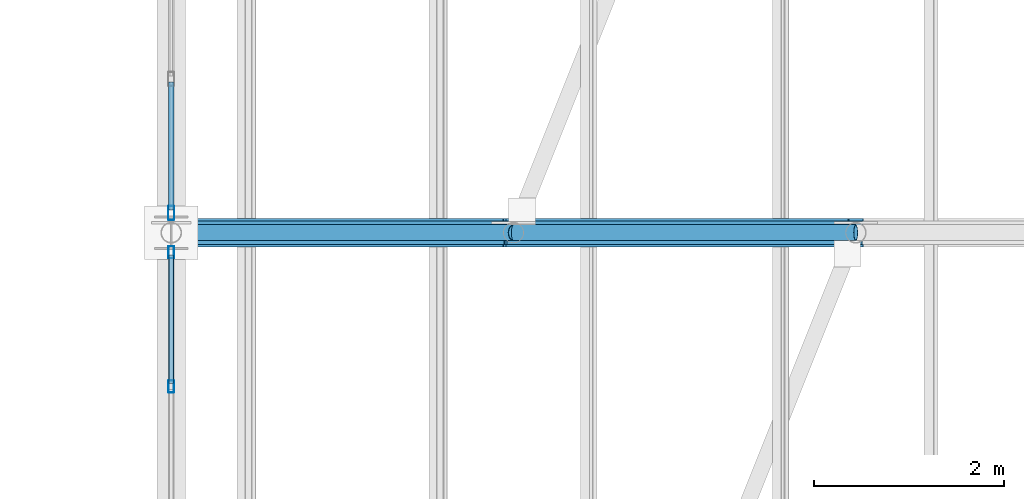
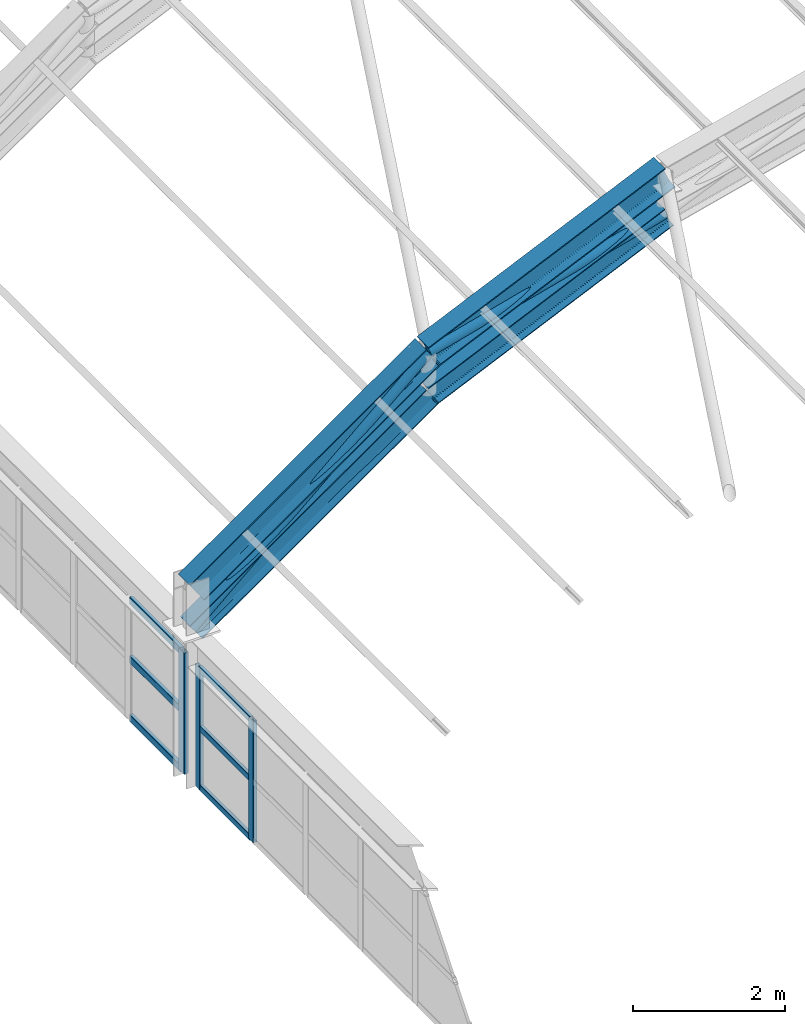
# One storey, part 34 of 121: 13 members, 2 beams, 2 elements without a shape of their own.
"""IFC4 building model written with IfcOpenShell, lengths in metres."""

from ifc_helpers import new_model, si_unit, direction, frame, origin, origin_2d, place, context, subcontext, project, spatial, hollow_rectangle, hollow_circle, i_section, extrude, material, material_profile, profile_set, type_object, element, aggregate, save


model = new_model("IFC4")

# Units and contexts
model_context = context("Model", 3, precision=1e-05, world=origin(), true_north=direction((0.0, 1.0)))
body_context = subcontext(model_context, "Body", "Model", "MODEL_VIEW")
ifc_project = project(units=[si_unit("LENGTHUNIT", "METRE"), si_unit("AREAUNIT", "SQUARE_METRE"), si_unit("VOLUMEUNIT", "CUBIC_METRE"), si_unit("PLANEANGLEUNIT", "RADIAN"), si_unit("MASSUNIT", "GRAM", prefix="KILO")], contexts=[model_context])

# Site, building, storey
site_placement = place(None, origin())
site = spatial("IfcSite", under=ifc_project, at=site_placement, CompositionType="ELEMENT")
building_placement = place(site_placement, origin())
building = spatial("IfcBuilding", under=site, at=building_placement, Name="Canglan Escarpment Cableway Terminal", CompositionType="ELEMENT")
storey_placement = place(building_placement, frame((0.0, 0.0, 24.60009765625)))
storey = spatial("IfcBuildingStorey", under=building, at=storey_placement, Name="L05", CompositionType="ELEMENT", Elevation=24.60009765625)

# Beams
ifc_material_1 = material(Name="Steel Q355B", Category="steel")
ifc_material_profile_1 = material_profile(ifc_material_1, i_section(OverallWidth=0.300048828125, OverallDepth=0.389892578125, WebThickness=0.010009765625, FlangeThickness=0.01611328125, FilletRadius=0.02197265625, at=origin_2d()), Name="HM 390x300x10x16")
ifc_profile_set_1 = profile_set([ifc_material_profile_1], Name="Steel Q355B")
beam_type = type_object("IfcBeamType", Name="BM-ARCH-TOP-HM390", PredefinedType="BEAM", material=ifc_profile_set_1)
beam_1_placement = place(storey_placement, frame((137.60009765625, 70.0, 3.08251953125), z_axis=(0.817731009495, 0.0, 0.575600552563), x_axis=(0.0, 1.0, 0.0)))
element("IfcBeam", 1, at=beam_1_placement, inside=storey, type_object=beam_type, Name="Vault ROOF TRUSS arch top chord AR-TC1", PredefinedType="BEAM", context=body_context, shape_type="SweptSolid", body=[
    extrude(i_section(OverallWidth=0.300048828125, OverallDepth=0.389892578125, WebThickness=0.010009765625, FlangeThickness=0.01611328125, FilletRadius=0.02197265625, at=origin_2d()), origin(), (0.0, 0.0, 1.0), 4.40234375),
])
beam_2_placement = place(storey_placement, frame((141.199951171875, 70.0, 5.616455078125), z_axis=(0.911752518833, 0.0, 0.410739996108), x_axis=(0.0, 1.0, 0.0)))
element("IfcBeam", 2, at=beam_2_placement, inside=storey, type_object=beam_type, Name="Vault ROOF TRUSS arch top chord AR-TC1", PredefinedType="BEAM", context=body_context, shape_type="SweptSolid", body=[
    extrude(i_section(OverallWidth=0.300048828125, OverallDepth=0.389892578125, WebThickness=0.010009765625, FlangeThickness=0.01611328125, FilletRadius=0.02197265625, at=origin_2d()), origin(), (0.0, 0.0, 1.0), 3.948486328125),
])

# Curtain wall, members
ifc_material_2 = material(Name="Anodized bronze aluminium and Low-E double glazing", Category="aluminium")
curtain_wall_type = type_object("IfcCurtainWallType", Name="CW-BAY-8650x1950", PredefinedType="NOTDEFINED", material=ifc_material_2)
curtain_wall_1_placement = place(storey_placement, origin())
curtain_wall_1 = element("IfcCurtainWall", 3, at=curtain_wall_1_placement, inside=storey, type_object=curtain_wall_type, Name="Classical bay-between-piers glazed curtain wall CW-66", PredefinedType="NOTDEFINED")
ifc_material_3 = material(Name="Thermally broken anodized aluminium 6063-T6", Category="aluminium")
ifc_material_profile_2 = material_profile(ifc_material_3, hollow_rectangle(XDim=0.06005859375, YDim=0.1298828125, WallThickness=0.0029296875, InnerFilletRadius=0.0029296875, OuterFilletRadius=0.006103515625, at=origin_2d()), Name="ALU-MULL 60x130x3")
ifc_profile_set_2 = profile_set([ifc_material_profile_2], Name="Thermally broken anodized aluminium 6063-T6")
member_type_1 = type_object("IfcMemberType", Name="CWM-01", PredefinedType="MULLION", material=ifc_profile_set_2)
member_1_placement = place(storey_placement, frame((137.60009765625, 69.794921875, 0.0), z_axis=(0.0, 0.0, 1.0), x_axis=(1.0, 0.0, 0.0)))
member_1 = element("IfcMember", 4, at=member_1_placement, type_object=member_type_1, Name="CW-66 mullion 1", PredefinedType="MULLION", context=body_context, shape_type="SweptSolid", body=[
    extrude(hollow_rectangle(XDim=0.06005859375, YDim=0.1298828125, WallThickness=0.0029296875, InnerFilletRadius=0.0029296875, OuterFilletRadius=0.006103515625, at=origin_2d()), origin(), (0.0, 0.0, 1.0), 1.949951171875),
])
member_2_placement = place(storey_placement, frame((137.60009765625, 68.38330078125, 0.0), z_axis=(0.0, 0.0, 1.0), x_axis=(1.0, 0.0, 0.0)))
member_2 = element("IfcMember", 5, at=member_2_placement, type_object=member_type_1, Name="CW-66 mullion 2", PredefinedType="MULLION", context=body_context, shape_type="SweptSolid", body=[
    extrude(hollow_rectangle(XDim=0.06005859375, YDim=0.1298828125, WallThickness=0.0029296875, InnerFilletRadius=0.0029296875, OuterFilletRadius=0.006103515625, at=origin_2d()), origin(), (0.0, 0.0, 1.0), 1.949951171875),
])

# Curtain wall, member
curtain_wall_2_placement = place(storey_placement, origin())
curtain_wall_2 = element("IfcCurtainWall", 6, at=curtain_wall_2_placement, inside=storey, type_object=curtain_wall_type, Name="Classical bay-between-piers glazed curtain wall CW-66", PredefinedType="NOTDEFINED")
ifc_material_profile_3 = material_profile(ifc_material_3, hollow_rectangle(XDim=0.06494140625, YDim=0.14990234375, WallThickness=0.00341796875, InnerFilletRadius=0.00341796875, OuterFilletRadius=0.007080078125, at=origin_2d()), Name="ALU-MULL 65x150x3.5")
ifc_profile_set_3 = profile_set([ifc_material_profile_3], Name="Thermally broken anodized aluminium 6063-T6")
member_type_2 = type_object("IfcMemberType", Name="CWM-02", PredefinedType="MULLION", material=ifc_profile_set_3)
member_3_placement = place(storey_placement, frame((137.60009765625, 70.20751953125, 0.0), z_axis=(0.0, 0.0, 1.0), x_axis=(1.0, 0.0, 0.0)))
member_3 = element("IfcMember", 7, at=member_3_placement, type_object=member_type_2, Name="CW-66 mullion 7", PredefinedType="MULLION", context=body_context, shape_type="SweptSolid", body=[
    extrude(hollow_rectangle(XDim=0.06494140625, YDim=0.14990234375, WallThickness=0.00341796875, InnerFilletRadius=0.00341796875, OuterFilletRadius=0.007080078125, at=origin_2d()), origin(), (0.0, 0.0, 1.0), 1.949951171875),
])

# Member
ifc_material_profile_4 = material_profile(ifc_material_3, hollow_rectangle(XDim=0.054931640625, YDim=0.094970703125, WallThickness=0.0029296875, InnerFilletRadius=0.0029296875, OuterFilletRadius=0.006103515625, at=origin_2d()), Name="ALU-TRAN 55x95x3")
ifc_profile_set_4 = profile_set([ifc_material_profile_4], Name="Thermally broken anodized aluminium 6063-T6")
member_type_3 = type_object("IfcMemberType", Name="CWT-01", PredefinedType="USERDEFINED", material=ifc_profile_set_4)
member_4_placement = place(storey_placement, frame((137.60009765625, 69.764892578125, 0.02734375), z_axis=(0.0, -1.0, 0.0), x_axis=(1.0, 0.0, 0.0)))
member_4 = element("IfcMember", 8, at=member_4_placement, type_object=member_type_3, Name="CW-66 transom 1.1", ObjectType="TRANSOM", PredefinedType="USERDEFINED", context=body_context, shape_type="SweptSolid", body=[
    extrude(hollow_rectangle(XDim=0.054931640625, YDim=0.094970703125, WallThickness=0.0029296875, InnerFilletRadius=0.0029296875, OuterFilletRadius=0.006103515625, at=origin_2d()), origin(), (0.0, 0.0, 1.0), 1.3515625),
])

member_5_placement = place(storey_placement, frame((137.60009765625, 69.764892578125, 0.974853515625), z_axis=(0.0, -1.0, 0.0), x_axis=(1.0, 0.0, 0.0)))
member_5 = element("IfcMember", 9, at=member_5_placement, type_object=member_type_3, Name="CW-66 transom 1.2", ObjectType="TRANSOM", PredefinedType="USERDEFINED", context=body_context, shape_type="SweptSolid", body=[
    extrude(hollow_rectangle(XDim=0.054931640625, YDim=0.094970703125, WallThickness=0.0029296875, InnerFilletRadius=0.0029296875, OuterFilletRadius=0.006103515625, at=origin_2d()), origin(), (0.0, 0.0, 1.0), 1.3515625),
])

member_6_placement = place(storey_placement, frame((137.60009765625, 69.764892578125, 1.92236328125), z_axis=(0.0, -1.0, 0.0), x_axis=(1.0, 0.0, 0.0)))
member_6 = element("IfcMember", 10, at=member_6_placement, type_object=member_type_3, Name="CW-66 transom 1.3", ObjectType="TRANSOM", PredefinedType="USERDEFINED", context=body_context, shape_type="SweptSolid", body=[
    extrude(hollow_rectangle(XDim=0.054931640625, YDim=0.094970703125, WallThickness=0.0029296875, InnerFilletRadius=0.0029296875, OuterFilletRadius=0.006103515625, at=origin_2d()), origin(), (0.0, 0.0, 1.0), 1.3515625),
])

aggregate(curtain_wall_1, [member_1, member_2, member_4, member_5, member_6])

ifc_material_profile_5 = material_profile(ifc_material_3, hollow_rectangle(XDim=0.06005859375, YDim=0.110107421875, WallThickness=0.0029296875, InnerFilletRadius=0.0029296875, OuterFilletRadius=0.006103515625, at=origin_2d()), Name="ALU-TRAN 60x110x3")
ifc_profile_set_5 = profile_set([ifc_material_profile_5], Name="Thermally broken anodized aluminium 6063-T6")
member_type_4 = type_object("IfcMemberType", Name="CWT-02", PredefinedType="USERDEFINED", material=ifc_profile_set_5)
member_7_placement = place(storey_placement, frame((137.60009765625, 71.584228515625, 0.02978515625), z_axis=(0.0, -1.0, 0.0), x_axis=(1.0, 0.0, 0.0)))
member_7 = element("IfcMember", 11, at=member_7_placement, type_object=member_type_4, Name="CW-66 transom 6.1", ObjectType="TRANSOM", PredefinedType="USERDEFINED", context=body_context, shape_type="SweptSolid", body=[
    extrude(hollow_rectangle(XDim=0.06005859375, YDim=0.110107421875, WallThickness=0.0029296875, InnerFilletRadius=0.0029296875, OuterFilletRadius=0.006103515625, at=origin_2d()), origin(), (0.0, 0.0, 1.0), 1.34423828125),
])

member_8_placement = place(storey_placement, frame((137.60009765625, 71.584228515625, 0.974853515625), z_axis=(0.0, -1.0, 0.0), x_axis=(1.0, 0.0, 0.0)))
member_8 = element("IfcMember", 12, at=member_8_placement, type_object=member_type_4, Name="CW-66 transom 6.2", ObjectType="TRANSOM", PredefinedType="USERDEFINED", context=body_context, shape_type="SweptSolid", body=[
    extrude(hollow_rectangle(XDim=0.06005859375, YDim=0.110107421875, WallThickness=0.0029296875, InnerFilletRadius=0.0029296875, OuterFilletRadius=0.006103515625, at=origin_2d()), origin(), (0.0, 0.0, 1.0), 1.34423828125),
])

member_9_placement = place(storey_placement, frame((137.60009765625, 71.584228515625, 1.919921875), z_axis=(0.0, -1.0, 0.0), x_axis=(1.0, 0.0, 0.0)))
member_9 = element("IfcMember", 13, at=member_9_placement, type_object=member_type_4, Name="CW-66 transom 6.3", ObjectType="TRANSOM", PredefinedType="USERDEFINED", context=body_context, shape_type="SweptSolid", body=[
    extrude(hollow_rectangle(XDim=0.06005859375, YDim=0.110107421875, WallThickness=0.0029296875, InnerFilletRadius=0.0029296875, OuterFilletRadius=0.006103515625, at=origin_2d()), origin(), (0.0, 0.0, 1.0), 1.34423828125),
])

aggregate(curtain_wall_2, [member_3, member_7, member_8, member_9])

# Members
ifc_material_profile_6 = material_profile(ifc_material_1, i_section(OverallWidth=0.25, OverallDepth=0.340087890625, WebThickness=0.009033203125, FlangeThickness=0.013916015625, FilletRadius=0.02001953125, at=origin_2d()), Name="HM 340x250x9x14")
ifc_profile_set_6 = profile_set([ifc_material_profile_6], Name="Steel Q355B")
member_type_5 = type_object("IfcMemberType", Name="MB-ARCH-BOT-HM340", PredefinedType="CHORD", material=ifc_profile_set_6)
member_10_placement = place(storey_placement, frame((137.60009765625, 70.0, 2.432373046875), z_axis=(0.81770490607, 0.0, 0.575637634792), x_axis=(0.0, 1.0, 0.0)))
element("IfcMember", 14, at=member_10_placement, inside=storey, type_object=member_type_5, Name="Vault ROOF TRUSS arch bottom chord AR-BC1", PredefinedType="CHORD", context=body_context, shape_type="SweptSolid", body=[
    extrude(i_section(OverallWidth=0.25, OverallDepth=0.340087890625, WebThickness=0.009033203125, FlangeThickness=0.013916015625, FilletRadius=0.02001953125, at=origin_2d()), origin(), (0.0, 0.0, 1.0), 4.40234375),
])
member_11_placement = place(storey_placement, frame((141.199951171875, 70.0, 4.966552734375), z_axis=(0.911752518833, 0.0, 0.410739996108), x_axis=(0.0, 1.0, 0.0)))
element("IfcMember", 15, at=member_11_placement, inside=storey, type_object=member_type_5, Name="Vault ROOF TRUSS arch bottom chord AR-BC1", PredefinedType="CHORD", context=body_context, shape_type="SweptSolid", body=[
    extrude(i_section(OverallWidth=0.25, OverallDepth=0.340087890625, WebThickness=0.009033203125, FlangeThickness=0.013916015625, FilletRadius=0.02001953125, at=origin_2d()), origin(), (0.0, 0.0, 1.0), 3.948486328125),
])
ifc_material_profile_7 = material_profile(ifc_material_1, hollow_circle(Radius=0.084228515625, WallThickness=0.006103515625, at=origin_2d()), Name="CHS 168.3x6")
ifc_profile_set_7 = profile_set([ifc_material_profile_7], Name="Steel Q355B")
member_type_6 = type_object("IfcMemberType", Name="MB-ARCH-DIAG-CHS168", PredefinedType="BRACE", material=ifc_profile_set_7)
member_12_placement = place(storey_placement, frame((137.60009765625, 70.0, 2.432373046875), z_axis=(0.749038254518, 0.0, 0.662526749096), x_axis=(0.0, 1.0, 0.0)))
element("IfcMember", 16, at=member_12_placement, inside=storey, type_object=member_type_6, Name="Vault ROOF TRUSS web diagonal AR-DG1", PredefinedType="BRACE", context=body_context, shape_type="SweptSolid", body=[
    extrude(hollow_circle(Radius=0.084228515625, WallThickness=0.006103515625, at=origin_2d()), origin(), (0.0, 0.0, 1.0), 4.805908203125),
])
member_13_placement = place(storey_placement, frame((141.199951171875, 70.0, 5.616455078125), z_axis=(0.96543600217, 0.0, 0.260640222748), x_axis=(0.0, 1.0, 0.0)))
element("IfcMember", 17, at=member_13_placement, inside=storey, type_object=member_type_6, Name="Vault ROOF TRUSS web diagonal AR-DG1", PredefinedType="BRACE", context=body_context, shape_type="SweptSolid", body=[
    extrude(hollow_circle(Radius=0.084228515625, WallThickness=0.006103515625, at=origin_2d()), origin(), (0.0, 0.0, 1.0), 3.72900390625),
])

save(model, "model.ifc")
